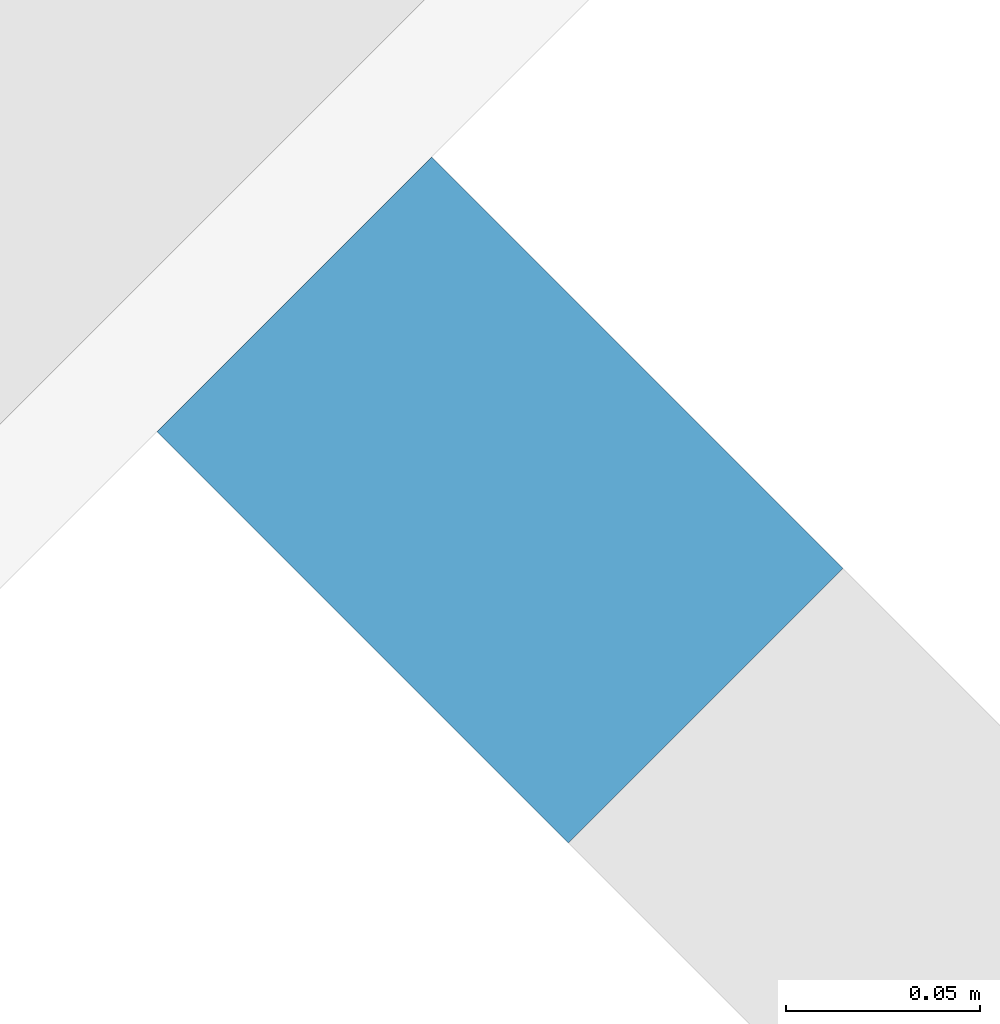
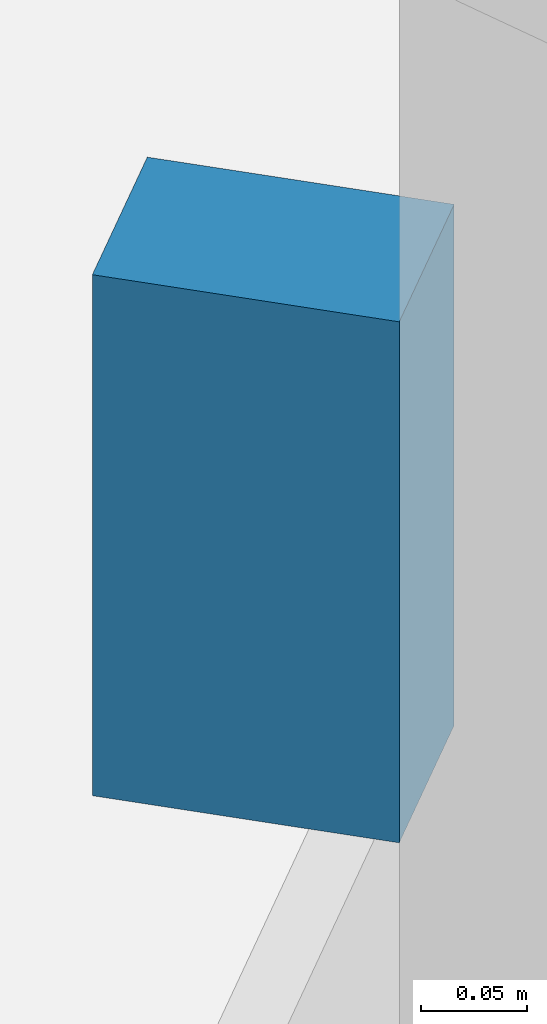
# One storey, part 10 of 27: 1 discrete accessory.
"""IFC4 building model written with IfcOpenShell, lengths in metres."""

import ifcopenshell
import ifcopenshell.guid

model = None  # the IFC model being written
_history = None  # IfcOwnerHistory: only IFC2X3 demands one
_inside = {}  # id of a spatial element -> (the spatial element, [elements in it])
_under = {}  # id of a project, library or spatial element -> (it, [spatial elements below it])
_declared = {}  # id of a project -> (the project, [libraries it declares])
_typed = {}  # id of a type object -> (the type object, [elements of that type])
_made_of = {}  # id of a material, layer set ... -> (it, [elements and type objects made of it])


def new_model(schema):
    """Start an empty IFC model of exactly this schema.

    Asked for "IFC4X3", IfcOpenShell would pick the latest addendum, in which some entities
    have other attributes; the version numbers below select the first issue.
    IFC2X3 requires an IfcOwnerHistory on every rooted entity: one is made here for all.
    """
    global model, _history
    if schema == "IFC4X3":
        model = ifcopenshell.file(schema_version=(4, 3, 0, 0))
    else:
        model = ifcopenshell.file(schema=schema)
    _inside.clear()
    _under.clear()
    _declared.clear()
    _typed.clear()
    _made_of.clear()
    _history = None
    if model.schema == "IFC2X3":
        org = make("IfcOrganization", Name="unknown")
        user = make(
            "IfcPersonAndOrganization",
            ThePerson=make("IfcPerson", FamilyName="unknown"),
            TheOrganization=org,
        )
        app = make(
            "IfcApplication",
            ApplicationDeveloper=org,
            Version="unknown",
            ApplicationFullName="unknown",
            ApplicationIdentifier="unknown",
        )
        _history = make(
            "IfcOwnerHistory",
            OwningUser=user,
            OwningApplication=app,
            ChangeAction="ADDED",
            CreationDate=0,
        )
    return model


def make(cls, **values):
    """One entity of the class cls with the attributes given. An attribute that is None is left unset."""
    return model.create_entity(
        cls, **{name: value for name, value in values.items() if value is not None}
    )


def rooted(cls, **values):
    """An entity with a GlobalId (a new one), such as an element, a storey or a relation."""
    return make(cls, GlobalId=ifcopenshell.guid.new(), OwnerHistory=_history, **values)


def si_unit(unit_type, name, prefix=None):
    """IfcSIUnit, for example si_unit("LENGTHUNIT", "METRE", prefix="MILLI")."""
    return make("IfcSIUnit", UnitType=unit_type, Prefix=prefix, Name=name)


def assignment(units):
    """IfcUnitAssignment: the units of a project."""
    return None if units is None else make("IfcUnitAssignment", Units=units)


def point(xyz):
    """IfcCartesianPoint."""
    return None if xyz is None else make("IfcCartesianPoint", Coordinates=xyz)


def direction(xyz):
    """IfcDirection."""
    return None if xyz is None else make("IfcDirection", DirectionRatios=xyz)


def frame(location, z_axis=None, x_axis=None):
    """IfcAxis2Placement3D, a coordinate frame: its origin and axes. An axis left out is left unset."""
    return make(
        "IfcAxis2Placement3D",
        Location=point(location),
        Axis=direction(z_axis),
        RefDirection=direction(x_axis),
    )


def frame_2d(location, x_axis=None):
    """IfcAxis2Placement2D, a coordinate frame in the plane: its origin and x axis."""
    return make(
        "IfcAxis2Placement2D", Location=point(location), RefDirection=direction(x_axis)
    )


def origin():
    """The frame at (0, 0, 0) with its axes left unset."""
    return frame((0.0, 0.0, 0.0))


def origin_2d():
    """The frame at (0, 0) in the plane with its x axis left unset."""
    return frame_2d((0.0, 0.0))


def place(relative_to, where):
    """IfcLocalPlacement: puts the frame where relative to a parent placement (None: the world)."""
    return make(
        "IfcLocalPlacement", PlacementRelTo=relative_to, RelativePlacement=where
    )


def context(
    kind, dimensions, precision=None, world=None, true_north=None, identifier=None
):
    """IfcGeometricRepresentationContext, for example the 3D "Model" context."""
    return make(
        "IfcGeometricRepresentationContext",
        ContextIdentifier=identifier,
        ContextType=kind,
        CoordinateSpaceDimension=dimensions,
        Precision=precision,
        WorldCoordinateSystem=world,
        TrueNorth=true_north,
    )


def subcontext(parent, identifier, kind, view, scale=None):
    """IfcGeometricRepresentationSubContext, for example "Body" below "Model"."""
    return make(
        "IfcGeometricRepresentationSubContext",
        ContextIdentifier=identifier,
        ContextType=kind,
        ParentContext=parent,
        TargetScale=scale,
        TargetView=view,
    )


def project(units=None, contexts=None):
    """IfcProject with its units and contexts."""
    return rooted(
        "IfcProject",
        Name="project",
        RepresentationContexts=contexts,
        UnitsInContext=assignment(units),
    )


def spatial(cls, under=None, at=None, **own):
    """A site, building, storey or space (cls), placed at a placement, below another one or the project."""
    s = rooted(cls, ObjectPlacement=at, **own)
    if under is not None:
        _under.setdefault(under.id(), (under, []))[1].append(s)
    return s


def profile(cls, at=None, kind="AREA", **sizes):
    """A parametric profile (cls). Its sizes go by their IFC names, for example OverallWidth=200.0."""
    return make(cls, ProfileType=kind, Position=at, **sizes)


def rectangle(**sizes):
    """IfcRectangleProfileDef."""
    return profile("IfcRectangleProfileDef", **sizes)


def extrude(swept, where, along, depth):
    """IfcExtrudedAreaSolid: the profile swept, set in the frame where, extruded along a direction by depth."""
    return make(
        "IfcExtrudedAreaSolid",
        SweptArea=swept,
        Position=where,
        ExtrudedDirection=direction(along),
        Depth=depth,
    )


def shape(context_of_items, identifier, shape_type, items):
    """IfcShapeRepresentation: the items that make up one representation, for example the "Body"."""
    return make(
        "IfcShapeRepresentation",
        ContextOfItems=context_of_items,
        RepresentationIdentifier=identifier,
        RepresentationType=shape_type,
        Items=items,
    )


def material(Name=None, Category=None):
    """IfcMaterial."""
    return make("IfcMaterial", Name=Name, Category=Category)


def made_of(thing, what):
    """Note that an element or type object is made of a material, layer set ...; save() writes the relation."""
    if what is not None:
        _made_of.setdefault(what.id(), (what, []))[1].append(thing)
    return thing


def type_object(cls, material=None, **own):
    """A type object (cls), such as IfcWallType, which elements share."""
    return made_of(rooted(cls, **own), material)


def element(
    cls,
    number,
    at=None,
    inside=None,
    cuts=None,
    type_object=None,
    material=None,
    context=None,
    identifier="Body",
    shape_type=None,
    held_by="IfcProductDefinitionShape",
    body=None,
    shapes=None,
    **own,
):
    """One element of the class cls, such as IfcWall. Its Tag is "e" and its number.

    at: its placement. inside: the storey or other place that contains it. cuts: it is an
    opening in that element (IfcRelVoidsElement). A single representation is given by context,
    identifier, shape_type and body (its items); several are given by shapes. held_by: the class
    of the entity that holds the representations. save() writes the other relations.
    """
    e = rooted(cls, Tag="e%d" % number, ObjectPlacement=at, **own)
    if body is not None:
        shapes = [shape(context, identifier, shape_type, body)]
    if shapes is not None:
        e.Representation = make(held_by, Representations=shapes)
    if inside is not None:
        _inside.setdefault(inside.id(), (inside, []))[1].append(e)
    if cuts is not None:
        rooted(
            "IfcRelVoidsElement", RelatingBuildingElement=cuts, RelatedOpeningElement=e
        )
    if type_object is not None:
        _typed.setdefault(type_object.id(), (type_object, []))[1].append(e)
    return made_of(e, material)


def aggregate(whole, parts):
    """IfcRelAggregates: a whole, such as a stair, and the parts it consists of."""
    return rooted("IfcRelAggregates", RelatingObject=whole, RelatedObjects=parts)


def save(model, path):
    """Write the relations noted so far, then the file.

    IfcRelAggregates (storeys below a building ...), IfcRelContainedInSpatialStructure (elements
    in a storey), IfcRelDefinesByType, IfcRelAssociatesMaterial and IfcRelDeclares: one each for
    every whole, place, type object, material and project.
    """
    for whole, parts in _under.values():
        aggregate(whole, parts)
    for where, things in _inside.values():
        rooted(
            "IfcRelContainedInSpatialStructure",
            RelatedElements=things,
            RelatingStructure=where,
        )
    for kind, things in _typed.values():
        rooted("IfcRelDefinesByType", RelatedObjects=things, RelatingType=kind)
    for what, things in _made_of.values():
        rooted("IfcRelAssociatesMaterial", RelatedObjects=things, RelatingMaterial=what)
    for by, libraries in _declared.values():
        rooted("IfcRelDeclares", RelatingContext=by, RelatedDefinitions=libraries)
    model.write(path)


model = new_model("IFC4")

# Units and contexts
model_context = context("Model", 3, precision=1e-05, world=origin(), true_north=direction((0.0, 1.0)))
body_context = subcontext(model_context, "Body", "Model", "MODEL_VIEW")
ifc_project = project(units=[si_unit("LENGTHUNIT", "METRE"), si_unit("AREAUNIT", "SQUARE_METRE"), si_unit("VOLUMEUNIT", "CUBIC_METRE"), si_unit("PLANEANGLEUNIT", "RADIAN"), si_unit("MASSUNIT", "GRAM", prefix="KILO")], contexts=[model_context])

# Site, building, storey
site_placement = place(None, origin())
site = spatial("IfcSite", under=ifc_project, at=site_placement, CompositionType="ELEMENT")
building_placement = place(site_placement, origin())
building = spatial("IfcBuilding", under=site, at=building_placement, Name="Qamariyya Broadcast Tower", CompositionType="ELEMENT")
storey_placement = place(building_placement, frame((0.0, 0.0, 179.699951171875)))
storey = spatial("IfcBuildingStorey", under=building, at=storey_placement, Name="L42", CompositionType="ELEMENT", Elevation=179.699951171875)

# Discrete accessory
ifc_material = material(Name="Stainless steel 316", Category="steel")
discrete_accessory_type = type_object("IfcDiscreteAccessoryType", Name="Slab edge fixing angle, stainless steel", PredefinedType="BRACKET", material=ifc_material)
discrete_accessory_placement = place(storey_placement, frame((58.534912109375, -53.0546875, 3.2998046875), z_axis=(0.0, 0.0, 1.0), x_axis=(0.707106781187, 0.707106781187, 0.0)))
element("IfcDiscreteAccessory", 1, at=discrete_accessory_placement, inside=storey, type_object=discrete_accessory_type, Name="e-br-L42-13-0", PredefinedType="BRACKET", context=body_context, shape_type="SweptSolid", body=[
    extrude(rectangle(XDim=0.10009765625, YDim=0.14990234375, at=origin_2d()), origin(), (0.0, 0.0, 1.0), 0.300048828125),
])

save(model, "model.ifc")
